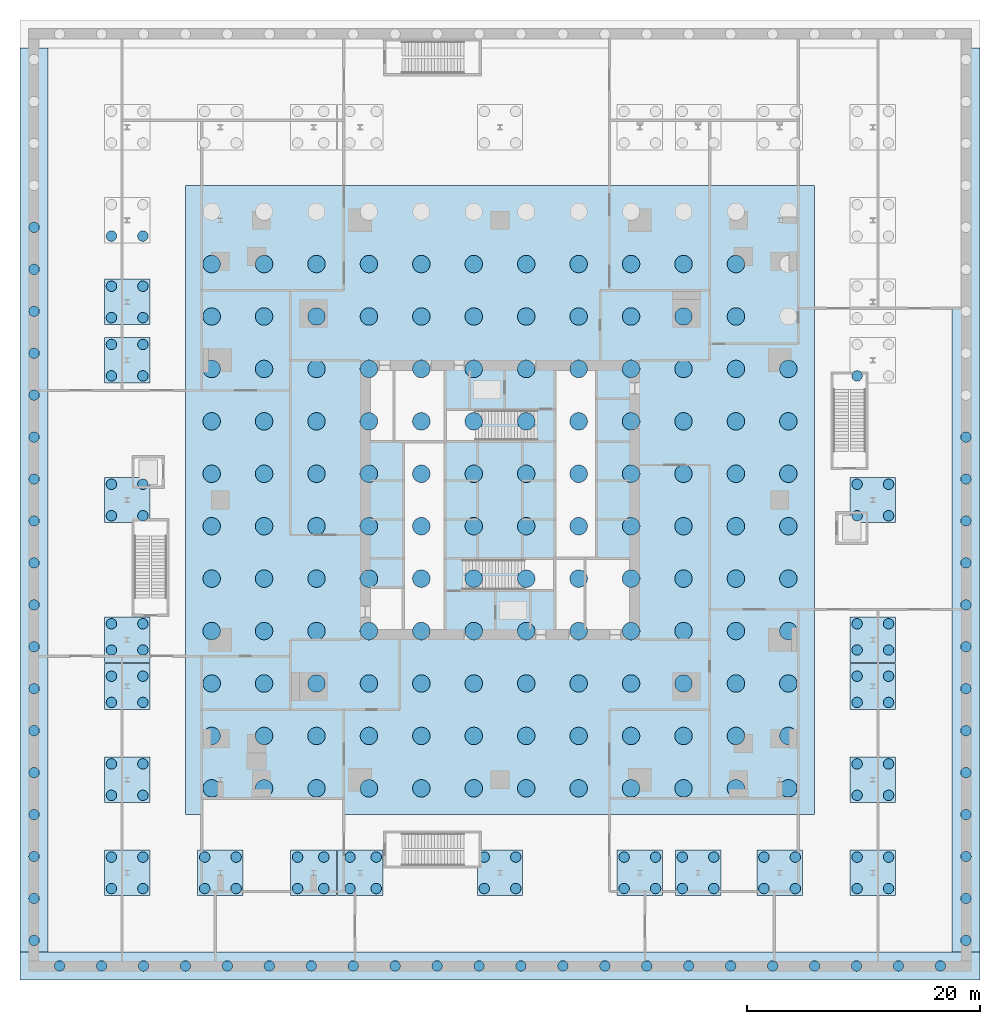
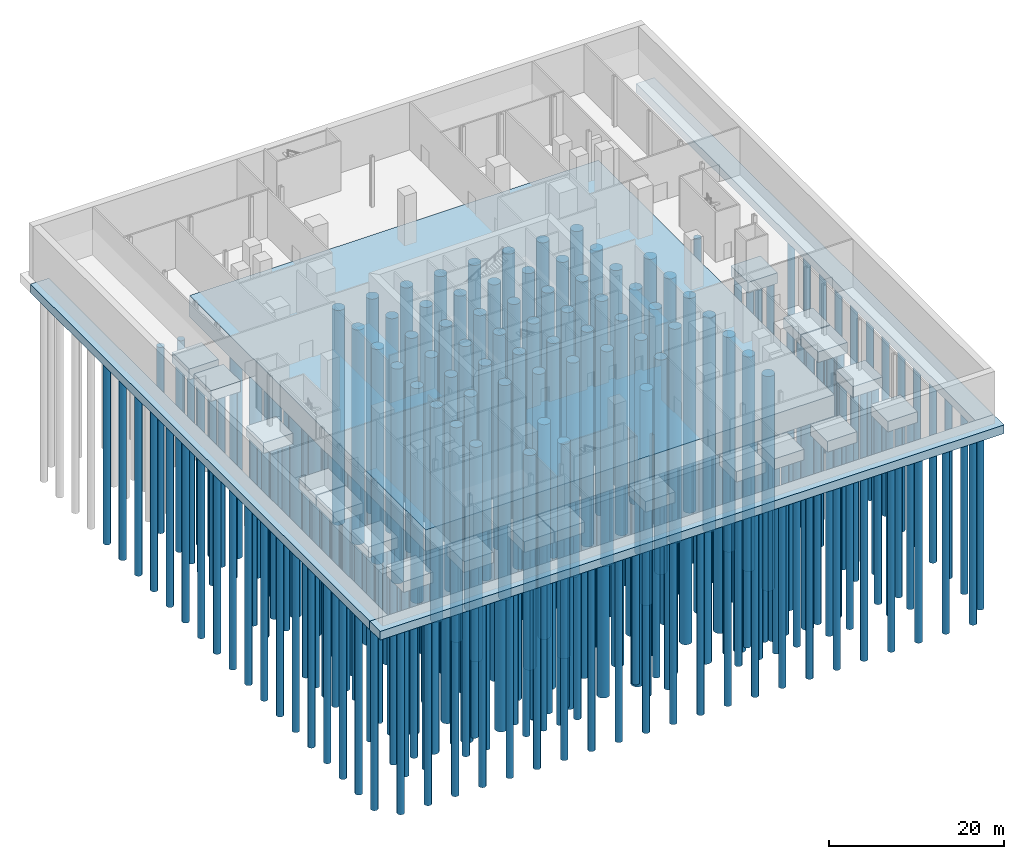
# One storey, part 1 of 15: 262 piles, 23 footings.
"""IFC4 building model written with IfcOpenShell, lengths in metres."""

from ifc_helpers import new_model, si_unit, direction, frame, origin, origin_2d, place, context, subcontext, project, spatial, polyline, rectangle, circle, outline, extrude, material, layer, layer_set, type_object, element, save


model = new_model("IFC4")

# Units and contexts
model_context = context("Model", 3, precision=1e-05, world=origin(), true_north=direction((0.0, 1.0)))
body_context = subcontext(model_context, "Body", "Model", "MODEL_VIEW")
ifc_project = project(units=[si_unit("LENGTHUNIT", "METRE"), si_unit("AREAUNIT", "SQUARE_METRE"), si_unit("VOLUMEUNIT", "CUBIC_METRE"), si_unit("PLANEANGLEUNIT", "RADIAN"), si_unit("MASSUNIT", "GRAM", prefix="KILO")], contexts=[model_context])

# Site, building, storey
site_placement = place(None, origin())
site = spatial("IfcSite", under=ifc_project, at=site_placement, CompositionType="ELEMENT")
building_placement = place(site_placement, origin())
building = spatial("IfcBuilding", under=site, at=building_placement, Name="Fenwick Lantern Interchange", CompositionType="ELEMENT")
storey_placement = place(building_placement, frame((0.0, 0.0, -7.0)))
storey = spatial("IfcBuildingStorey", under=building, at=storey_placement, Name="B-1", CompositionType="ELEMENT", Elevation=-7.0)

# Piles
ifc_material = material(Name="Concrete f'c 45 MPa", Category="concrete")
pile_type_1 = type_object("IfcPileType", Name="BORED PILE 1500", PredefinedType="BORED", material=ifc_material)
for number, where, z_axis, x_axis, name in (
    (1, (0.25, 0.25, -3.0), (0.0, 0.0, -1.0), (1.0, 0.0, 0.0), "FDN/RAFT/P01-01"),
    (2, (0.25, 4.75, -3.0), (0.0, 0.0, -1.0), (1.0, 0.0, 0.0), "FDN/RAFT/P01-02"),
    (3, (0.25, 9.25, -3.0), (0.0, 0.0, -1.0), (1.0, 0.0, 0.0), "FDN/RAFT/P01-03"),
    (4, (0.25, 13.75, -3.0), (0.0, 0.0, -1.0), (1.0, 0.0, 0.0), "FDN/RAFT/P01-04"),
    (5, (0.25, 18.25, -3.0), (0.0, 0.0, -1.0), (1.0, 0.0, 0.0), "FDN/RAFT/P01-05"),
    (6, (0.25, 22.75, -3.0), (0.0, 0.0, -1.0), (1.0, 0.0, 0.0), "FDN/RAFT/P01-06"),
    (7, (0.25, 27.25, -3.0), (0.0, 0.0, -1.0), (1.0, 0.0, 0.0), "FDN/RAFT/P01-07"),
    (8, (0.25, 31.75, -3.0), (0.0, 0.0, -1.0), (1.0, 0.0, 0.0), "FDN/RAFT/P01-08"),
    (9, (0.25, 36.25, -3.0), (0.0, 0.0, -1.0), (1.0, 0.0, 0.0), "FDN/RAFT/P01-09"),
    (10, (0.25, 40.75, -3.0), (0.0, 0.0, -1.0), (1.0, 0.0, 0.0), "FDN/RAFT/P01-10"),
    (11, (0.25, 45.25, -3.0), (0.0, 0.0, -1.0), (1.0, 0.0, 0.0), "FDN/RAFT/P01-11"),
    (12, (4.75, 0.25, -3.0), (0.0, 0.0, -1.0), (1.0, 0.0, 0.0), "FDN/RAFT/P02-01"),
    (13, (4.75, 4.75, -3.0), (0.0, 0.0, -1.0), (1.0, 0.0, 0.0), "FDN/RAFT/P02-02"),
    (14, (4.75, 9.25, -3.0), (0.0, 0.0, -1.0), (1.0, 0.0, 0.0), "FDN/RAFT/P02-03"),
    (15, (4.75, 13.75, -3.0), (0.0, 0.0, -1.0), (1.0, 0.0, 0.0), "FDN/RAFT/P02-04"),
    (16, (4.75, 18.25, -3.0), (0.0, 0.0, -1.0), (1.0, 0.0, 0.0), "FDN/RAFT/P02-05"),
    (17, (4.75, 22.75, -3.0), (0.0, 0.0, -1.0), (1.0, 0.0, 0.0), "FDN/RAFT/P02-06"),
    (18, (4.75, 27.25, -3.0), (0.0, 0.0, -1.0), (1.0, 0.0, 0.0), "FDN/RAFT/P02-07"),
    (19, (4.75, 31.75, -3.0), (0.0, 0.0, -1.0), (1.0, 0.0, 0.0), "FDN/RAFT/P02-08"),
    (20, (4.75, 36.25, -3.0), (0.0, 0.0, -1.0), (1.0, 0.0, 0.0), "FDN/RAFT/P02-09"),
    (21, (4.75, 40.75, -3.0), (0.0, 0.0, -1.0), (1.0, 0.0, 0.0), "FDN/RAFT/P02-10"),
    (22, (4.75, 45.25, -3.0), (0.0, 0.0, -1.0), (1.0, 0.0, 0.0), "FDN/RAFT/P02-11"),
    (23, (9.25, 0.25, -3.0), (0.0, 0.0, -1.0), (1.0, 0.0, 0.0), "FDN/RAFT/P03-01"),
    (24, (9.25, 4.75, -3.0), (0.0, 0.0, -1.0), (1.0, 0.0, 0.0), "FDN/RAFT/P03-02"),
    (25, (9.25, 9.25, -3.0), (0.0, 0.0, -1.0), (1.0, 0.0, 0.0), "FDN/RAFT/P03-03"),
    (26, (9.25, 13.75, -3.0), (0.0, 0.0, -1.0), (1.0, 0.0, 0.0), "FDN/RAFT/P03-04"),
    (27, (9.25, 18.25, -3.0), (0.0, 0.0, -1.0), (1.0, 0.0, 0.0), "FDN/RAFT/P03-05"),
    (28, (9.25, 22.75, -3.0), (0.0, 0.0, -1.0), (1.0, 0.0, 0.0), "FDN/RAFT/P03-06"),
    (29, (9.25, 27.25, -3.0), (0.0, 0.0, -1.0), (1.0, 0.0, 0.0), "FDN/RAFT/P03-07"),
    (30, (9.25, 31.75, -3.0), (0.0, 0.0, -1.0), (1.0, 0.0, 0.0), "FDN/RAFT/P03-08"),
    (31, (9.25, 36.25, -3.0), (0.0, 0.0, -1.0), (1.0, 0.0, 0.0), "FDN/RAFT/P03-09"),
    (32, (9.25, 40.75, -3.0), (0.0, 0.0, -1.0), (1.0, 0.0, 0.0), "FDN/RAFT/P03-10"),
    (33, (9.25, 45.25, -3.0), (0.0, 0.0, -1.0), (1.0, 0.0, 0.0), "FDN/RAFT/P03-11"),
    (34, (13.75, 0.25, -3.0), (0.0, 0.0, -1.0), (1.0, 0.0, 0.0), "FDN/RAFT/P04-01"),
    (35, (13.75, 4.75, -3.0), (0.0, 0.0, -1.0), (1.0, 0.0, 0.0), "FDN/RAFT/P04-02"),
    (36, (13.75, 9.25, -3.0), (0.0, 0.0, -1.0), (1.0, 0.0, 0.0), "FDN/RAFT/P04-03"),
    (37, (13.75, 13.75, -3.0), (0.0, 0.0, -1.0), (1.0, 0.0, 0.0), "FDN/RAFT/P04-04"),
    (38, (13.75, 18.25, -3.0), (0.0, 0.0, -1.0), (1.0, 0.0, 0.0), "FDN/RAFT/P04-05"),
    (39, (13.75, 22.75, -3.0), (0.0, 0.0, -1.0), (1.0, 0.0, 0.0), "FDN/RAFT/P04-06"),
    (40, (13.75, 27.25, -3.0), (0.0, 0.0, -1.0), (1.0, 0.0, 0.0), "FDN/RAFT/P04-07"),
    (41, (13.75, 31.75, -3.0), (0.0, 0.0, -1.0), (1.0, 0.0, 0.0), "FDN/RAFT/P04-08"),
    (42, (13.75, 36.25, -3.0), (0.0, 0.0, -1.0), (1.0, 0.0, 0.0), "FDN/RAFT/P04-09"),
    (43, (13.75, 40.75, -3.0), (0.0, 0.0, -1.0), (1.0, 0.0, 0.0), "FDN/RAFT/P04-10"),
    (44, (13.75, 45.25, -3.0), (0.0, 0.0, -1.0), (1.0, 0.0, 0.0), "FDN/RAFT/P04-11"),
    (45, (18.25, 0.25, -3.0), (0.0, 0.0, -1.0), (1.0, 0.0, 0.0), "FDN/RAFT/P05-01"),
    (46, (18.25, 4.75, -3.0), (0.0, 0.0, -1.0), (1.0, 0.0, 0.0), "FDN/RAFT/P05-02"),
    (47, (18.25, 9.25, -3.0), (0.0, 0.0, -1.0), (1.0, 0.0, 0.0), "FDN/RAFT/P05-03"),
    (48, (18.25, 13.75, -3.0), (0.0, 0.0, -1.0), (1.0, 0.0, 0.0), "FDN/RAFT/P05-04"),
    (49, (18.25, 18.25, -3.0), (0.0, 0.0, -1.0), (1.0, 0.0, 0.0), "FDN/RAFT/P05-05"),
    (50, (18.25, 22.75, -3.0), (0.0, 0.0, -1.0), (1.0, 0.0, 0.0), "FDN/RAFT/P05-06"),
    (51, (18.25, 27.25, -3.0), (0.0, 0.0, -1.0), (1.0, 0.0, 0.0), "FDN/RAFT/P05-07"),
    (52, (18.25, 31.75, -3.0), (0.0, 0.0, -1.0), (1.0, 0.0, 0.0), "FDN/RAFT/P05-08"),
    (53, (18.25, 36.25, -3.0), (0.0, 0.0, -1.0), (1.0, 0.0, 0.0), "FDN/RAFT/P05-09"),
    (54, (18.25, 40.75, -3.0), (0.0, 0.0, -1.0), (1.0, 0.0, 0.0), "FDN/RAFT/P05-10"),
    (55, (18.25, 45.25, -3.0), (0.0, 0.0, -1.0), (1.0, 0.0, 0.0), "FDN/RAFT/P05-11"),
    (56, (22.75, 0.25, -3.0), (0.0, 0.0, -1.0), (1.0, 0.0, 0.0), "FDN/RAFT/P06-01"),
    (57, (22.75, 4.75, -3.0), (0.0, 0.0, -1.0), (1.0, 0.0, 0.0), "FDN/RAFT/P06-02"),
    (58, (22.75, 9.25, -3.0), (0.0, 0.0, -1.0), (1.0, 0.0, 0.0), "FDN/RAFT/P06-03"),
    (59, (22.75, 13.75, -3.0), (0.0, 0.0, -1.0), (1.0, 0.0, 0.0), "FDN/RAFT/P06-04"),
    (60, (22.75, 18.25, -3.0), (0.0, 0.0, -1.0), (1.0, 0.0, 0.0), "FDN/RAFT/P06-05"),
    (61, (22.75, 22.75, -3.0), (0.0, 0.0, -1.0), (1.0, 0.0, 0.0), "FDN/RAFT/P06-06"),
    (62, (22.75, 27.25, -3.0), (0.0, 0.0, -1.0), (1.0, 0.0, 0.0), "FDN/RAFT/P06-07"),
    (63, (22.75, 31.75, -3.0), (0.0, 0.0, -1.0), (1.0, 0.0, 0.0), "FDN/RAFT/P06-08"),
    (64, (22.75, 36.25, -3.0), (0.0, 0.0, -1.0), (1.0, 0.0, 0.0), "FDN/RAFT/P06-09"),
    (65, (22.75, 40.75, -3.0), (0.0, 0.0, -1.0), (1.0, 0.0, 0.0), "FDN/RAFT/P06-10"),
    (66, (22.75, 45.25, -3.0), (0.0, 0.0, -1.0), (1.0, 0.0, 0.0), "FDN/RAFT/P06-11"),
    (67, (27.25, 0.25, -3.0), (0.0, 0.0, -1.0), (1.0, 0.0, 0.0), "FDN/RAFT/P07-01"),
    (68, (27.25, 4.75, -3.0), (0.0, 0.0, -1.0), (1.0, 0.0, 0.0), "FDN/RAFT/P07-02"),
    (69, (27.25, 9.25, -3.0), (0.0, 0.0, -1.0), (1.0, 0.0, 0.0), "FDN/RAFT/P07-03"),
    (70, (27.25, 13.75, -3.0), (0.0, 0.0, -1.0), (1.0, 0.0, 0.0), "FDN/RAFT/P07-04"),
    (71, (27.25, 18.25, -3.0), (0.0, 0.0, -1.0), (1.0, 0.0, 0.0), "FDN/RAFT/P07-05"),
    (72, (27.25, 22.75, -3.0), (0.0, 0.0, -1.0), (1.0, 0.0, 0.0), "FDN/RAFT/P07-06"),
    (73, (27.25, 27.25, -3.0), (0.0, 0.0, -1.0), (1.0, 0.0, 0.0), "FDN/RAFT/P07-07"),
    (74, (27.25, 31.75, -3.0), (0.0, 0.0, -1.0), (1.0, 0.0, 0.0), "FDN/RAFT/P07-08"),
    (75, (27.25, 36.25, -3.0), (0.0, 0.0, -1.0), (1.0, 0.0, 0.0), "FDN/RAFT/P07-09"),
    (76, (27.25, 40.75, -3.0), (0.0, 0.0, -1.0), (1.0, 0.0, 0.0), "FDN/RAFT/P07-10"),
    (77, (27.25, 45.25, -3.0), (0.0, 0.0, -1.0), (1.0, 0.0, 0.0), "FDN/RAFT/P07-11"),
    (78, (31.75, 0.25, -3.0), (0.0, 0.0, -1.0), (1.0, 0.0, 0.0), "FDN/RAFT/P08-01"),
    (79, (31.75, 4.75, -3.0), (0.0, 0.0, -1.0), (1.0, 0.0, 0.0), "FDN/RAFT/P08-02"),
    (80, (31.75, 9.25, -3.0), (0.0, 0.0, -1.0), (1.0, 0.0, 0.0), "FDN/RAFT/P08-03"),
    (81, (31.75, 13.75, -3.0), (0.0, 0.0, -1.0), (1.0, 0.0, 0.0), "FDN/RAFT/P08-04"),
    (82, (31.75, 18.25, -3.0), (0.0, 0.0, -1.0), (1.0, 0.0, 0.0), "FDN/RAFT/P08-05"),
    (83, (31.75, 22.75, -3.0), (0.0, 0.0, -1.0), (1.0, 0.0, 0.0), "FDN/RAFT/P08-06"),
    (84, (31.75, 27.25, -3.0), (0.0, 0.0, -1.0), (1.0, 0.0, 0.0), "FDN/RAFT/P08-07"),
    (85, (31.75, 31.75, -3.0), (0.0, 0.0, -1.0), (1.0, 0.0, 0.0), "FDN/RAFT/P08-08"),
    (86, (31.75, 36.25, -3.0), (0.0, 0.0, -1.0), (1.0, 0.0, 0.0), "FDN/RAFT/P08-09"),
    (87, (31.75, 40.75, -3.0), (0.0, 0.0, -1.0), (1.0, 0.0, 0.0), "FDN/RAFT/P08-10"),
    (88, (31.75, 45.25, -3.0), (0.0, 0.0, -1.0), (1.0, 0.0, 0.0), "FDN/RAFT/P08-11"),
    (89, (36.25, 0.25, -3.0), (0.0, 0.0, -1.0), (1.0, 0.0, 0.0), "FDN/RAFT/P09-01"),
    (90, (36.25, 4.75, -3.0), (0.0, 0.0, -1.0), (1.0, 0.0, 0.0), "FDN/RAFT/P09-02"),
    (91, (36.25, 9.25, -3.0), (0.0, 0.0, -1.0), (1.0, 0.0, 0.0), "FDN/RAFT/P09-03"),
    (92, (36.25, 13.75, -3.0), (0.0, 0.0, -1.0), (1.0, 0.0, 0.0), "FDN/RAFT/P09-04"),
    (93, (36.25, 18.25, -3.0), (0.0, 0.0, -1.0), (1.0, 0.0, 0.0), "FDN/RAFT/P09-05"),
    (94, (36.25, 22.75, -3.0), (0.0, 0.0, -1.0), (1.0, 0.0, 0.0), "FDN/RAFT/P09-06"),
    (95, (36.25, 27.25, -3.0), (0.0, 0.0, -1.0), (1.0, 0.0, 0.0), "FDN/RAFT/P09-07"),
    (96, (36.25, 31.75, -3.0), (0.0, 0.0, -1.0), (1.0, 0.0, 0.0), "FDN/RAFT/P09-08"),
    (97, (36.25, 36.25, -3.0), (0.0, 0.0, -1.0), (1.0, 0.0, 0.0), "FDN/RAFT/P09-09"),
    (98, (36.25, 40.75, -3.0), (0.0, 0.0, -1.0), (1.0, 0.0, 0.0), "FDN/RAFT/P09-10"),
    (99, (36.25, 45.25, -3.0), (0.0, 0.0, -1.0), (1.0, 0.0, 0.0), "FDN/RAFT/P09-11"),
    (100, (40.75, 0.25, -3.0), (0.0, 0.0, -1.0), (1.0, 0.0, 0.0), "FDN/RAFT/P10-01"),
    (101, (40.75, 4.75, -3.0), (0.0, 0.0, -1.0), (1.0, 0.0, 0.0), "FDN/RAFT/P10-02"),
    (102, (40.75, 9.25, -3.0), (0.0, 0.0, -1.0), (1.0, 0.0, 0.0), "FDN/RAFT/P10-03"),
    (103, (40.75, 13.75, -3.0), (0.0, 0.0, -1.0), (1.0, 0.0, 0.0), "FDN/RAFT/P10-04"),
    (104, (40.75, 18.25, -3.0), (0.0, 0.0, -1.0), (1.0, 0.0, 0.0), "FDN/RAFT/P10-05"),
    (105, (40.75, 22.75, -3.0), (0.0, 0.0, -1.0), (1.0, 0.0, 0.0), "FDN/RAFT/P10-06"),
    (106, (40.75, 27.25, -3.0), (0.0, 0.0, -1.0), (1.0, 0.0, 0.0), "FDN/RAFT/P10-07"),
    (107, (40.75, 31.75, -3.0), (0.0, 0.0, -1.0), (1.0, 0.0, 0.0), "FDN/RAFT/P10-08"),
    (108, (40.75, 36.25, -3.0), (0.0, 0.0, -1.0), (1.0, 0.0, 0.0), "FDN/RAFT/P10-09"),
    (109, (40.75, 40.75, -3.0), (0.0, 0.0, -1.0), (1.0, 0.0, 0.0), "FDN/RAFT/P10-10"),
    (110, (40.75, 45.25, -3.0), (0.0, 0.0, -1.0), (1.0, 0.0, 0.0), "FDN/RAFT/P10-11"),
    (111, (45.25, 0.25, -3.0), (0.0, 0.0, -1.0), (1.0, 0.0, 0.0), "FDN/RAFT/P11-01"),
    (112, (45.25, 4.75, -3.0), (0.0, 0.0, -1.0), (1.0, 0.0, 0.0), "FDN/RAFT/P11-02"),
    (113, (45.25, 9.25, -3.0), (0.0, 0.0, -1.0), (1.0, 0.0, 0.0), "FDN/RAFT/P11-03"),
    (114, (45.25, 13.75, -3.0), (0.0, 0.0, -1.0), (1.0, 0.0, 0.0), "FDN/RAFT/P11-04"),
    (115, (45.25, 18.25, -3.0), (0.0, 0.0, -1.0), (1.0, 0.0, 0.0), "FDN/RAFT/P11-05"),
    (116, (45.25, 22.75, -3.0), (0.0, 0.0, -1.0), (1.0, 0.0, 0.0), "FDN/RAFT/P11-06"),
    (117, (45.25, 27.25, -3.0), (0.0, 0.0, -1.0), (1.0, 0.0, 0.0), "FDN/RAFT/P11-07"),
    (118, (45.25, 31.75, -3.0), (0.0, 0.0, -1.0), (1.0, 0.0, 0.0), "FDN/RAFT/P11-08"),
    (119, (45.25, 36.25, -3.0), (0.0, 0.0, -1.0), (1.0, 0.0, 0.0), "FDN/RAFT/P11-09"),
    (120, (45.25, 40.75, -3.0), (0.0, 0.0, -1.0), (1.0, 0.0, 0.0), "FDN/RAFT/P11-10"),
    (121, (45.25, 45.25, -3.0), (0.0, 0.0, -1.0), (1.0, 0.0, 0.0), "FDN/RAFT/P11-11"),
    (122, (49.75, 0.25, -3.0), (0.0, 0.0, -1.0), (1.0, 0.0, 0.0), "FDN/RAFT/P12-01"),
    (123, (49.75, 4.75, -3.0), (0.0, 0.0, -1.0), (1.0, 0.0, 0.0), "FDN/RAFT/P12-02"),
    (124, (49.75, 9.25, -3.0), (0.0, 0.0, -1.0), (1.0, 0.0, 0.0), "FDN/RAFT/P12-03"),
    (125, (49.75, 13.75, -3.0), (0.0, 0.0, -1.0), (1.0, 0.0, 0.0), "FDN/RAFT/P12-04"),
    (126, (49.75, 18.25, -3.0), (0.0, 0.0, -1.0), (1.0, 0.0, 0.0), "FDN/RAFT/P12-05"),
    (127, (49.75, 22.75, -3.0), (0.0, 0.0, -1.0), (1.0, 0.0, 0.0), "FDN/RAFT/P12-06"),
    (128, (49.75, 27.25, -3.0), (0.0, 0.0, -1.0), (1.0, 0.0, 0.0), "FDN/RAFT/P12-07"),
    (129, (49.75, 31.75, -3.0), (0.0, 0.0, -1.0), (1.0, 0.0, 0.0), "FDN/RAFT/P12-08"),
    (130, (49.75, 36.25, -3.0), (0.0, 0.0, -1.0), (1.0, 0.0, 0.0), "FDN/RAFT/P12-09"),
):
    element("IfcPile", number, at=place(storey_placement, frame(where, z_axis=z_axis, x_axis=x_axis)), inside=storey, type_object=pile_type_1, Name=name, PredefinedType="BORED", context=body_context, shape_type="SweptSolid", body=[
        extrude(circle(Radius=0.75, at=origin_2d()), origin(), (0.0, 0.0, 1.0), 30.0),
    ])
pile_type_2 = type_object("IfcPileType", Name="BORED PILE 900", PredefinedType="BORED", material=ifc_material)
for number, where, z_axis, x_axis, name in (
    (131, (-8.35009765625, -8.35009765625, -2.10009765625), (0.0, 0.0, -1.0), (1.0, 0.0, 0.0), "FDN/CAP/B2/P1"),
    (132, (-5.64990234375, -8.35009765625, -2.10009765625), (0.0, 0.0, -1.0), (1.0, 0.0, 0.0), "FDN/CAP/B2/P2"),
    (133, (-5.64990234375, -5.64990234375, -2.10009765625), (0.0, 0.0, -1.0), (1.0, 0.0, 0.0), "FDN/CAP/B2/P3"),
    (134, (-8.35009765625, -5.64990234375, -2.10009765625), (0.0, 0.0, -1.0), (1.0, 0.0, 0.0), "FDN/CAP/B2/P4"),
    (135, (-8.35009765625, -0.35009765625, -2.10009765625), (0.0, 0.0, -1.0), (1.0, 0.0, 0.0), "FDN/CAP/C2/P1"),
    (136, (-5.64990234375, -0.35009765625, -2.10009765625), (0.0, 0.0, -1.0), (1.0, 0.0, 0.0), "FDN/CAP/C2/P2"),
    (137, (-5.64990234375, 2.35009765625, -2.10009765625), (0.0, 0.0, -1.0), (1.0, 0.0, 0.0), "FDN/CAP/C2/P3"),
    (138, (-8.35009765625, 2.35009765625, -2.10009765625), (0.0, 0.0, -1.0), (1.0, 0.0, 0.0), "FDN/CAP/C2/P4"),
    (139, (-8.35009765625, 7.625, -2.10009765625), (0.0, 0.0, -1.0), (1.0, 0.0, 0.0), "FDN/CAP/D2/P1"),
    (140, (-5.64990234375, 7.625, -2.10009765625), (0.0, 0.0, -1.0), (1.0, 0.0, 0.0), "FDN/CAP/D2/P2"),
    (141, (-5.64990234375, 9.875, -2.10009765625), (0.0, 0.0, -1.0), (1.0, 0.0, 0.0), "FDN/CAP/D2/P3"),
    (142, (-8.35009765625, 9.875, -2.10009765625), (0.0, 0.0, -1.0), (1.0, 0.0, 0.0), "FDN/CAP/D2/P4"),
    (143, (-8.35009765625, 12.125, -2.10009765625), (0.0, 0.0, -1.0), (1.0, 0.0, 0.0), "FDN/CAP/E2/P1"),
    (144, (-5.64990234375, 12.125, -2.10009765625), (0.0, 0.0, -1.0), (1.0, 0.0, 0.0), "FDN/CAP/E2/P2"),
    (145, (-5.64990234375, 14.375, -2.10009765625), (0.0, 0.0, -1.0), (1.0, 0.0, 0.0), "FDN/CAP/E2/P3"),
    (146, (-8.35009765625, 14.375, -2.10009765625), (0.0, 0.0, -1.0), (1.0, 0.0, 0.0), "FDN/CAP/E2/P4"),
    (147, (-8.35009765625, 23.64990234375, -2.10009765625), (0.0, 0.0, -1.0), (1.0, 0.0, 0.0), "FDN/CAP/F2/P1"),
    (148, (-5.64990234375, 23.64990234375, -2.10009765625), (0.0, 0.0, -1.0), (1.0, 0.0, 0.0), "FDN/CAP/F2/P2"),
    (149, (-5.64990234375, 26.35009765625, -2.10009765625), (0.0, 0.0, -1.0), (1.0, 0.0, 0.0), "FDN/CAP/F2/P3"),
    (150, (-8.35009765625, 26.35009765625, -2.10009765625), (0.0, 0.0, -1.0), (1.0, 0.0, 0.0), "FDN/CAP/F2/P4"),
    (151, (-8.35009765625, 35.64990234375, -2.10009765625), (0.0, 0.0, -1.0), (1.0, 0.0, 0.0), "FDN/CAP/G2/P1"),
    (152, (-5.64990234375, 35.64990234375, -2.10009765625), (0.0, 0.0, -1.0), (1.0, 0.0, 0.0), "FDN/CAP/G2/P2"),
    (153, (-5.64990234375, 38.35009765625, -2.10009765625), (0.0, 0.0, -1.0), (1.0, 0.0, 0.0), "FDN/CAP/G2/P3"),
    (154, (-8.35009765625, 38.35009765625, -2.10009765625), (0.0, 0.0, -1.0), (1.0, 0.0, 0.0), "FDN/CAP/G2/P4"),
    (155, (-8.35009765625, 40.64990234375, -2.10009765625), (0.0, 0.0, -1.0), (1.0, 0.0, 0.0), "FDN/CAP/H2/P1"),
    (156, (-5.64990234375, 40.64990234375, -2.10009765625), (0.0, 0.0, -1.0), (1.0, 0.0, 0.0), "FDN/CAP/H2/P2"),
    (157, (-5.64990234375, 43.35009765625, -2.10009765625), (0.0, 0.0, -1.0), (1.0, 0.0, 0.0), "FDN/CAP/H2/P3"),
    (158, (-8.35009765625, 43.35009765625, -2.10009765625), (0.0, 0.0, -1.0), (1.0, 0.0, 0.0), "FDN/CAP/H2/P4"),
    (159, (-8.35009765625, 47.64990234375, -2.10009765625), (0.0, 0.0, -1.0), (1.0, 0.0, 0.0), "FDN/CAP/J2/P1"),
    (160, (-5.64990234375, 47.64990234375, -2.10009765625), (0.0, 0.0, -1.0), (1.0, 0.0, 0.0), "FDN/CAP/J2/P2"),
    (161, (-0.35009765625, -8.35009765625, -2.10009765625), (0.0, 0.0, -1.0), (1.0, 0.0, 0.0), "FDN/CAP/B3/P1"),
    (162, (2.35009765625, -8.35009765625, -2.10009765625), (0.0, 0.0, -1.0), (1.0, 0.0, 0.0), "FDN/CAP/B3/P2"),
    (163, (2.35009765625, -5.64990234375, -2.10009765625), (0.0, 0.0, -1.0), (1.0, 0.0, 0.0), "FDN/CAP/B3/P3"),
    (164, (-0.35009765625, -5.64990234375, -2.10009765625), (0.0, 0.0, -1.0), (1.0, 0.0, 0.0), "FDN/CAP/B3/P4"),
    (165, (7.625, -8.35009765625, -2.10009765625), (0.0, 0.0, -1.0), (1.0, 0.0, 0.0), "FDN/CAP/B4/P1"),
    (166, (9.875, -8.35009765625, -2.10009765625), (0.0, 0.0, -1.0), (1.0, 0.0, 0.0), "FDN/CAP/B4/P2"),
    (167, (9.875, -5.64990234375, -2.10009765625), (0.0, 0.0, -1.0), (1.0, 0.0, 0.0), "FDN/CAP/B4/P3"),
    (168, (7.625, -5.64990234375, -2.10009765625), (0.0, 0.0, -1.0), (1.0, 0.0, 0.0), "FDN/CAP/B4/P4"),
    (169, (12.125, -8.35009765625, -2.10009765625), (0.0, 0.0, -1.0), (1.0, 0.0, 0.0), "FDN/CAP/B5/P1"),
    (170, (14.375, -8.35009765625, -2.10009765625), (0.0, 0.0, -1.0), (1.0, 0.0, 0.0), "FDN/CAP/B5/P2"),
    (171, (14.375, -5.64990234375, -2.10009765625), (0.0, 0.0, -1.0), (1.0, 0.0, 0.0), "FDN/CAP/B5/P3"),
    (172, (12.125, -5.64990234375, -2.10009765625), (0.0, 0.0, -1.0), (1.0, 0.0, 0.0), "FDN/CAP/B5/P4"),
    (173, (23.64990234375, -8.35009765625, -2.10009765625), (0.0, 0.0, -1.0), (1.0, 0.0, 0.0), "FDN/CAP/B6/P1"),
    (174, (26.35009765625, -8.35009765625, -2.10009765625), (0.0, 0.0, -1.0), (1.0, 0.0, 0.0), "FDN/CAP/B6/P2"),
    (175, (26.35009765625, -5.64990234375, -2.10009765625), (0.0, 0.0, -1.0), (1.0, 0.0, 0.0), "FDN/CAP/B6/P3"),
    (176, (23.64990234375, -5.64990234375, -2.10009765625), (0.0, 0.0, -1.0), (1.0, 0.0, 0.0), "FDN/CAP/B6/P4"),
    (177, (35.64990234375, -8.35009765625, -2.10009765625), (0.0, 0.0, -1.0), (1.0, 0.0, 0.0), "FDN/CAP/B7/P1"),
    (178, (38.35009765625, -8.35009765625, -2.10009765625), (0.0, 0.0, -1.0), (1.0, 0.0, 0.0), "FDN/CAP/B7/P2"),
    (179, (38.35009765625, -5.64990234375, -2.10009765625), (0.0, 0.0, -1.0), (1.0, 0.0, 0.0), "FDN/CAP/B7/P3"),
    (180, (35.64990234375, -5.64990234375, -2.10009765625), (0.0, 0.0, -1.0), (1.0, 0.0, 0.0), "FDN/CAP/B7/P4"),
    (181, (40.64990234375, -8.35009765625, -2.10009765625), (0.0, 0.0, -1.0), (1.0, 0.0, 0.0), "FDN/CAP/B8/P1"),
    (182, (43.35009765625, -8.35009765625, -2.10009765625), (0.0, 0.0, -1.0), (1.0, 0.0, 0.0), "FDN/CAP/B8/P2"),
    (183, (43.35009765625, -5.64990234375, -2.10009765625), (0.0, 0.0, -1.0), (1.0, 0.0, 0.0), "FDN/CAP/B8/P3"),
    (184, (40.64990234375, -5.64990234375, -2.10009765625), (0.0, 0.0, -1.0), (1.0, 0.0, 0.0), "FDN/CAP/B8/P4"),
    (185, (47.64990234375, -8.35009765625, -2.10009765625), (0.0, 0.0, -1.0), (1.0, 0.0, 0.0), "FDN/CAP/B9/P1"),
    (186, (50.35009765625, -8.35009765625, -2.10009765625), (0.0, 0.0, -1.0), (1.0, 0.0, 0.0), "FDN/CAP/B9/P2"),
    (187, (50.35009765625, -5.64990234375, -2.10009765625), (0.0, 0.0, -1.0), (1.0, 0.0, 0.0), "FDN/CAP/B9/P3"),
    (188, (47.64990234375, -5.64990234375, -2.10009765625), (0.0, 0.0, -1.0), (1.0, 0.0, 0.0), "FDN/CAP/B9/P4"),
    (189, (55.64990234375, -8.35009765625, -2.10009765625), (0.0, 0.0, -1.0), (1.0, 0.0, 0.0), "FDN/CAP/B10/P1"),
    (190, (58.35009765625, -8.35009765625, -2.10009765625), (0.0, 0.0, -1.0), (1.0, 0.0, 0.0), "FDN/CAP/B10/P2"),
    (191, (58.35009765625, -5.64990234375, -2.10009765625), (0.0, 0.0, -1.0), (1.0, 0.0, 0.0), "FDN/CAP/B10/P3"),
    (192, (55.64990234375, -5.64990234375, -2.10009765625), (0.0, 0.0, -1.0), (1.0, 0.0, 0.0), "FDN/CAP/B10/P4"),
    (193, (55.64990234375, -0.35009765625, -2.10009765625), (0.0, 0.0, -1.0), (1.0, 0.0, 0.0), "FDN/CAP/C10/P1"),
    (194, (58.35009765625, -0.35009765625, -2.10009765625), (0.0, 0.0, -1.0), (1.0, 0.0, 0.0), "FDN/CAP/C10/P2"),
    (195, (58.35009765625, 2.35009765625, -2.10009765625), (0.0, 0.0, -1.0), (1.0, 0.0, 0.0), "FDN/CAP/C10/P3"),
    (196, (55.64990234375, 2.35009765625, -2.10009765625), (0.0, 0.0, -1.0), (1.0, 0.0, 0.0), "FDN/CAP/C10/P4"),
    (197, (55.64990234375, 7.625, -2.10009765625), (0.0, 0.0, -1.0), (1.0, 0.0, 0.0), "FDN/CAP/D10/P1"),
    (198, (58.35009765625, 7.625, -2.10009765625), (0.0, 0.0, -1.0), (1.0, 0.0, 0.0), "FDN/CAP/D10/P2"),
    (199, (58.35009765625, 9.875, -2.10009765625), (0.0, 0.0, -1.0), (1.0, 0.0, 0.0), "FDN/CAP/D10/P3"),
    (200, (55.64990234375, 9.875, -2.10009765625), (0.0, 0.0, -1.0), (1.0, 0.0, 0.0), "FDN/CAP/D10/P4"),
    (201, (55.64990234375, 12.125, -2.10009765625), (0.0, 0.0, -1.0), (1.0, 0.0, 0.0), "FDN/CAP/E10/P1"),
    (202, (58.35009765625, 12.125, -2.10009765625), (0.0, 0.0, -1.0), (1.0, 0.0, 0.0), "FDN/CAP/E10/P2"),
    (203, (58.35009765625, 14.375, -2.10009765625), (0.0, 0.0, -1.0), (1.0, 0.0, 0.0), "FDN/CAP/E10/P3"),
    (204, (55.64990234375, 14.375, -2.10009765625), (0.0, 0.0, -1.0), (1.0, 0.0, 0.0), "FDN/CAP/E10/P4"),
    (205, (55.64990234375, 23.64990234375, -2.10009765625), (0.0, 0.0, -1.0), (1.0, 0.0, 0.0), "FDN/CAP/F10/P1"),
    (206, (58.35009765625, 23.64990234375, -2.10009765625), (0.0, 0.0, -1.0), (1.0, 0.0, 0.0), "FDN/CAP/F10/P2"),
    (207, (58.35009765625, 26.35009765625, -2.10009765625), (0.0, 0.0, -1.0), (1.0, 0.0, 0.0), "FDN/CAP/F10/P3"),
    (208, (55.64990234375, 26.35009765625, -2.10009765625), (0.0, 0.0, -1.0), (1.0, 0.0, 0.0), "FDN/CAP/F10/P4"),
    (209, (55.64990234375, 35.64990234375, -2.10009765625), (0.0, 0.0, -1.0), (1.0, 0.0, 0.0), "FDN/CAP/G10/P1"),
    (210, (-12.800048828125, -15.0, -1.800048828125), (0.0, 0.0, -1.0), (1.0, 0.0, 0.0), "FDN/STRIP/S/P01"),
    (211, (-9.199951171875, -15.0, -1.800048828125), (0.0, 0.0, -1.0), (1.0, 0.0, 0.0), "FDN/STRIP/S/P02"),
    (212, (-5.60009765625, -15.0, -1.800048828125), (0.0, 0.0, -1.0), (1.0, 0.0, 0.0), "FDN/STRIP/S/P03"),
    (213, (-2.0, -15.0, -1.800048828125), (0.0, 0.0, -1.0), (1.0, 0.0, 0.0), "FDN/STRIP/S/P04"),
    (214, (1.60009765625, -15.0, -1.800048828125), (0.0, 0.0, -1.0), (1.0, 0.0, 0.0), "FDN/STRIP/S/P05"),
    (215, (5.199951171875, -15.0, -1.800048828125), (0.0, 0.0, -1.0), (1.0, 0.0, 0.0), "FDN/STRIP/S/P06"),
    (216, (8.800048828125, -15.0, -1.800048828125), (0.0, 0.0, -1.0), (1.0, 0.0, 0.0), "FDN/STRIP/S/P07"),
    (217, (12.39990234375, -15.0, -1.800048828125), (0.0, 0.0, -1.0), (1.0, 0.0, 0.0), "FDN/STRIP/S/P08"),
    (218, (16.0, -15.0, -1.800048828125), (0.0, 0.0, -1.0), (1.0, 0.0, 0.0), "FDN/STRIP/S/P09"),
    (219, (19.60009765625, -15.0, -1.800048828125), (0.0, 0.0, -1.0), (1.0, 0.0, 0.0), "FDN/STRIP/S/P10"),
    (220, (23.199951171875, -15.0, -1.800048828125), (0.0, 0.0, -1.0), (1.0, 0.0, 0.0), "FDN/STRIP/S/P11"),
    (221, (26.800048828125, -15.0, -1.800048828125), (0.0, 0.0, -1.0), (1.0, 0.0, 0.0), "FDN/STRIP/S/P12"),
    (222, (30.39990234375, -15.0, -1.800048828125), (0.0, 0.0, -1.0), (1.0, 0.0, 0.0), "FDN/STRIP/S/P13"),
    (223, (34.0, -15.0, -1.800048828125), (0.0, 0.0, -1.0), (1.0, 0.0, 0.0), "FDN/STRIP/S/P14"),
    (224, (37.60009765625, -15.0, -1.800048828125), (0.0, 0.0, -1.0), (1.0, 0.0, 0.0), "FDN/STRIP/S/P15"),
    (225, (41.199951171875, -15.0, -1.800048828125), (0.0, 0.0, -1.0), (1.0, 0.0, 0.0), "FDN/STRIP/S/P16"),
    (226, (44.800048828125, -15.0, -1.800048828125), (0.0, 0.0, -1.0), (1.0, 0.0, 0.0), "FDN/STRIP/S/P17"),
    (227, (48.39990234375, -15.0, -1.800048828125), (0.0, 0.0, -1.0), (1.0, 0.0, 0.0), "FDN/STRIP/S/P18"),
    (228, (52.0, -15.0, -1.800048828125), (0.0, 0.0, -1.0), (1.0, 0.0, 0.0), "FDN/STRIP/S/P19"),
    (229, (55.60009765625, -15.0, -1.800048828125), (0.0, 0.0, -1.0), (1.0, 0.0, 0.0), "FDN/STRIP/S/P20"),
    (230, (59.199951171875, -15.0, -1.800048828125), (0.0, 0.0, -1.0), (1.0, 0.0, 0.0), "FDN/STRIP/S/P21"),
    (231, (62.800048828125, -15.0, -1.800048828125), (0.0, 0.0, -1.0), (1.0, 0.0, 0.0), "FDN/STRIP/S/P22"),
    (232, (65.0, -12.800048828125, -1.800048828125), (0.0, 0.0, -1.0), (1.0, 0.0, 0.0), "FDN/STRIP/E/P01"),
    (233, (65.0, -9.199951171875, -1.800048828125), (0.0, 0.0, -1.0), (1.0, 0.0, 0.0), "FDN/STRIP/E/P02"),
    (234, (65.0, -5.60009765625, -1.800048828125), (0.0, 0.0, -1.0), (1.0, 0.0, 0.0), "FDN/STRIP/E/P03"),
    (235, (65.0, -2.0, -1.800048828125), (0.0, 0.0, -1.0), (1.0, 0.0, 0.0), "FDN/STRIP/E/P04"),
    (236, (65.0, 1.60009765625, -1.800048828125), (0.0, 0.0, -1.0), (1.0, 0.0, 0.0), "FDN/STRIP/E/P05"),
    (237, (65.0, 5.199951171875, -1.800048828125), (0.0, 0.0, -1.0), (1.0, 0.0, 0.0), "FDN/STRIP/E/P06"),
    (238, (65.0, 8.800048828125, -1.800048828125), (0.0, 0.0, -1.0), (1.0, 0.0, 0.0), "FDN/STRIP/E/P07"),
    (239, (65.0, 12.39990234375, -1.800048828125), (0.0, 0.0, -1.0), (1.0, 0.0, 0.0), "FDN/STRIP/E/P08"),
    (240, (65.0, 16.0, -1.800048828125), (0.0, 0.0, -1.0), (1.0, 0.0, 0.0), "FDN/STRIP/E/P09"),
    (241, (65.0, 19.60009765625, -1.800048828125), (0.0, 0.0, -1.0), (1.0, 0.0, 0.0), "FDN/STRIP/E/P10"),
    (242, (65.0, 23.199951171875, -1.800048828125), (0.0, 0.0, -1.0), (1.0, 0.0, 0.0), "FDN/STRIP/E/P11"),
    (243, (65.0, 26.800048828125, -1.800048828125), (0.0, 0.0, -1.0), (1.0, 0.0, 0.0), "FDN/STRIP/E/P12"),
    (244, (65.0, 30.39990234375, -1.800048828125), (0.0, 0.0, -1.0), (1.0, 0.0, 0.0), "FDN/STRIP/E/P13"),
    (245, (-15.0, 48.39990234375, -1.800048828125), (0.0, 0.0, -1.0), (1.0, 0.0, 0.0), "FDN/STRIP/W/P05"),
    (246, (-15.0, 44.800048828125, -1.800048828125), (0.0, 0.0, -1.0), (1.0, 0.0, 0.0), "FDN/STRIP/W/P06"),
    (247, (-15.0, 41.199951171875, -1.800048828125), (0.0, 0.0, -1.0), (1.0, 0.0, 0.0), "FDN/STRIP/W/P07"),
    (248, (-15.0, 37.60009765625, -1.800048828125), (0.0, 0.0, -1.0), (1.0, 0.0, 0.0), "FDN/STRIP/W/P08"),
    (249, (-15.0, 34.0, -1.800048828125), (0.0, 0.0, -1.0), (1.0, 0.0, 0.0), "FDN/STRIP/W/P09"),
    (250, (-15.0, 30.39990234375, -1.800048828125), (0.0, 0.0, -1.0), (1.0, 0.0, 0.0), "FDN/STRIP/W/P10"),
    (251, (-15.0, 26.800048828125, -1.800048828125), (0.0, 0.0, -1.0), (1.0, 0.0, 0.0), "FDN/STRIP/W/P11"),
    (252, (-15.0, 23.199951171875, -1.800048828125), (0.0, 0.0, -1.0), (1.0, 0.0, 0.0), "FDN/STRIP/W/P12"),
    (253, (-15.0, 19.60009765625, -1.800048828125), (0.0, 0.0, -1.0), (1.0, 0.0, 0.0), "FDN/STRIP/W/P13"),
    (254, (-15.0, 16.0, -1.800048828125), (0.0, 0.0, -1.0), (1.0, 0.0, 0.0), "FDN/STRIP/W/P14"),
    (255, (-15.0, 12.39990234375, -1.800048828125), (0.0, 0.0, -1.0), (1.0, 0.0, 0.0), "FDN/STRIP/W/P15"),
    (256, (-15.0, 8.800048828125, -1.800048828125), (0.0, 0.0, -1.0), (1.0, 0.0, 0.0), "FDN/STRIP/W/P16"),
    (257, (-15.0, 5.199951171875, -1.800048828125), (0.0, 0.0, -1.0), (1.0, 0.0, 0.0), "FDN/STRIP/W/P17"),
    (258, (-15.0, 1.60009765625, -1.800048828125), (0.0, 0.0, -1.0), (1.0, 0.0, 0.0), "FDN/STRIP/W/P18"),
    (259, (-15.0, -2.0, -1.800048828125), (0.0, 0.0, -1.0), (1.0, 0.0, 0.0), "FDN/STRIP/W/P19"),
    (260, (-15.0, -5.60009765625, -1.800048828125), (0.0, 0.0, -1.0), (1.0, 0.0, 0.0), "FDN/STRIP/W/P20"),
    (261, (-15.0, -9.199951171875, -1.800048828125), (0.0, 0.0, -1.0), (1.0, 0.0, 0.0), "FDN/STRIP/W/P21"),
    (262, (-15.0, -12.800048828125, -1.800048828125), (0.0, 0.0, -1.0), (1.0, 0.0, 0.0), "FDN/STRIP/W/P22"),
):
    element("IfcPile", number, at=place(storey_placement, frame(where, z_axis=z_axis, x_axis=x_axis)), inside=storey, type_object=pile_type_2, Name=name, PredefinedType="BORED", context=body_context, shape_type="SweptSolid", body=[
        extrude(circle(Radius=0.449951171875, at=origin_2d()), origin(), (0.0, 0.0, 1.0), 26.0),
    ])

# Footings
footing_type_1 = type_object("IfcFootingType", Name="PILE CAP 3900", PredefinedType="PILE_CAP", material=ifc_material)
for number, where, z_axis, x_axis, name in (
    (263, (-7.0, -7.0, -2.10009765625), (0.0, 0.0, 1.0), (1.0, 0.0, 0.0), "FDN/CAP/B2"),
    (264, (-7.0, 1.0, -2.10009765625), (0.0, 0.0, 1.0), (1.0, 0.0, 0.0), "FDN/CAP/C2"),
    (265, (-7.0, 25.0, -2.10009765625), (0.0, 0.0, 1.0), (1.0, 0.0, 0.0), "FDN/CAP/F2"),
    (266, (-7.0, 37.0, -2.10009765625), (0.0, 0.0, 1.0), (1.0, 0.0, 0.0), "FDN/CAP/G2"),
    (267, (-7.0, 42.0, -2.10009765625), (0.0, 0.0, 1.0), (1.0, 0.0, 0.0), "FDN/CAP/H2"),
    (268, (1.0, -7.0, -2.10009765625), (0.0, 0.0, 1.0), (1.0, 0.0, 0.0), "FDN/CAP/B3"),
    (269, (25.0, -7.0, -2.10009765625), (0.0, 0.0, 1.0), (1.0, 0.0, 0.0), "FDN/CAP/B6"),
    (270, (37.0, -7.0, -2.10009765625), (0.0, 0.0, 1.0), (1.0, 0.0, 0.0), "FDN/CAP/B7"),
    (271, (42.0, -7.0, -2.10009765625), (0.0, 0.0, 1.0), (1.0, 0.0, 0.0), "FDN/CAP/B8"),
    (272, (49.0, -7.0, -2.10009765625), (0.0, 0.0, 1.0), (1.0, 0.0, 0.0), "FDN/CAP/B9"),
    (273, (57.0, -7.0, -2.10009765625), (0.0, 0.0, 1.0), (1.0, 0.0, 0.0), "FDN/CAP/B10"),
    (274, (57.0, 1.0, -2.10009765625), (0.0, 0.0, 1.0), (1.0, 0.0, 0.0), "FDN/CAP/C10"),
    (275, (57.0, 25.0, -2.10009765625), (0.0, 0.0, 1.0), (1.0, 0.0, 0.0), "FDN/CAP/F10"),
):
    element("IfcFooting", number, at=place(storey_placement, frame(where, z_axis=z_axis, x_axis=x_axis)), inside=storey, type_object=footing_type_1, Name=name, PredefinedType="PILE_CAP", context=body_context, shape_type="SweptSolid", body=[
        extrude(rectangle(XDim=3.89990234375, YDim=3.89990234375, at=origin_2d()), origin(), (0.0, 0.0, 1.0), 1.5),
    ])
footing_type_2 = type_object("IfcFootingType", Name="PILE CAP 3900 X 3925", PredefinedType="PILE_CAP", material=ifc_material)
for number, where, z_axis, x_axis, name in (
    (276, (-7.0, 8.987548828125, -2.10009765625), (0.0, 0.0, 1.0), (1.0, 0.0, 0.0), "FDN/CAP/D2"),
    (277, (-7.0, 13.012451171875, -2.10009765625), (0.0, 0.0, 1.0), (1.0, 0.0, 0.0), "FDN/CAP/E2"),
):
    element("IfcFooting", number, at=place(storey_placement, frame(where, z_axis=z_axis, x_axis=x_axis)), inside=storey, type_object=footing_type_2, Name=name, PredefinedType="PILE_CAP", context=body_context, shape_type="SweptSolid", body=[
        extrude(rectangle(XDim=3.89990234375, YDim=3.925048828125, at=origin_2d()), origin(), (0.0, 0.0, 1.0), 1.5),
    ])
for number, where, z_axis, x_axis, name in (
    (278, (8.987548828125, -7.0, -2.10009765625), (0.0, 0.0, 1.0), (1.0, 0.0, 0.0), "FDN/CAP/B4"),
    (279, (13.012451171875, -7.0, -2.10009765625), (0.0, 0.0, 1.0), (1.0, 0.0, 0.0), "FDN/CAP/B5"),
):
    element("IfcFooting", number, at=place(storey_placement, frame(where, z_axis=z_axis, x_axis=x_axis)), inside=storey, type_object=footing_type_2, Name=name, PredefinedType="PILE_CAP", context=body_context, shape_type="SweptSolid", body=[
        extrude(rectangle(XDim=3.925048828125, YDim=3.89990234375, at=origin_2d()), origin(), (0.0, 0.0, 1.0), 1.5),
    ])
for number, where, z_axis, x_axis, name in (
    (280, (57.0, 8.987548828125, -2.10009765625), (0.0, 0.0, 1.0), (1.0, 0.0, 0.0), "FDN/CAP/D10"),
    (281, (57.0, 13.012451171875, -2.10009765625), (0.0, 0.0, 1.0), (1.0, 0.0, 0.0), "FDN/CAP/E10"),
):
    element("IfcFooting", number, at=place(storey_placement, frame(where, z_axis=z_axis, x_axis=x_axis)), inside=storey, type_object=footing_type_2, Name=name, PredefinedType="PILE_CAP", context=body_context, shape_type="SweptSolid", body=[
        extrude(rectangle(XDim=3.89990234375, YDim=3.925048828125, at=origin_2d()), origin(), (0.0, 0.0, 1.0), 1.5),
    ])
ifc_layer = layer(ifc_material, 3.0)
ifc_layer_set = layer_set([ifc_layer], Name="PILED RAFT 3000")
footing_type_3 = type_object("IfcFootingType", Name="PILED RAFT 3000", PredefinedType="PILE_CAP", material=ifc_layer_set)
footing_1_placement = place(storey_placement, frame((0.0, 0.0, -3.0)))
element("IfcFooting", 282, at=footing_1_placement, inside=storey, type_object=footing_type_3, Name="FDN/RAFT", PredefinedType="PILE_CAP", context=body_context, shape_type="SweptSolid", body=[
    extrude(outline(polyline([(-2.0, -2.0), (52.0, -2.0), (52.0, 52.0), (-2.0, 52.0), (-2.0, -2.0)])), origin(), (0.0, 0.0, 1.0), 3.0),
])
footing_type_4 = type_object("IfcFootingType", Name="STRIP FOOTING 2400", PredefinedType="STRIP_FOOTING", material=ifc_material)
footing_2_placement = place(storey_placement, frame((25.0, -15.0, -1.7998046875), z_axis=(0.0, 0.0, 1.0), x_axis=(1.0, 0.0, 0.0)))
element("IfcFooting", 283, at=footing_2_placement, inside=storey, type_object=footing_type_4, Name="FDN/STRIP/S", PredefinedType="STRIP_FOOTING", context=body_context, shape_type="SweptSolid", body=[
    extrude(rectangle(XDim=82.39990234375, YDim=2.39990234375, at=origin_2d()), origin(), (0.0, 0.0, 1.0), 1.199951171875),
])
for number, where, z_axis, x_axis, name in (
    (284, (65.0, 25.0, -1.7998046875), (0.0, 0.0, 1.0), (1.0, 0.0, 0.0), "FDN/STRIP/E"),
    (285, (-15.0, 25.0, -1.7998046875), (0.0, 0.0, 1.0), (1.0, 0.0, 0.0), "FDN/STRIP/W"),
):
    element("IfcFooting", number, at=place(storey_placement, frame(where, z_axis=z_axis, x_axis=x_axis)), inside=storey, type_object=footing_type_4, Name=name, PredefinedType="STRIP_FOOTING", context=body_context, shape_type="SweptSolid", body=[
        extrude(rectangle(XDim=2.39990234375, YDim=77.60009765625, at=origin_2d()), origin(), (0.0, 0.0, 1.0), 1.199951171875),
    ])

save(model, "model.ifc")
